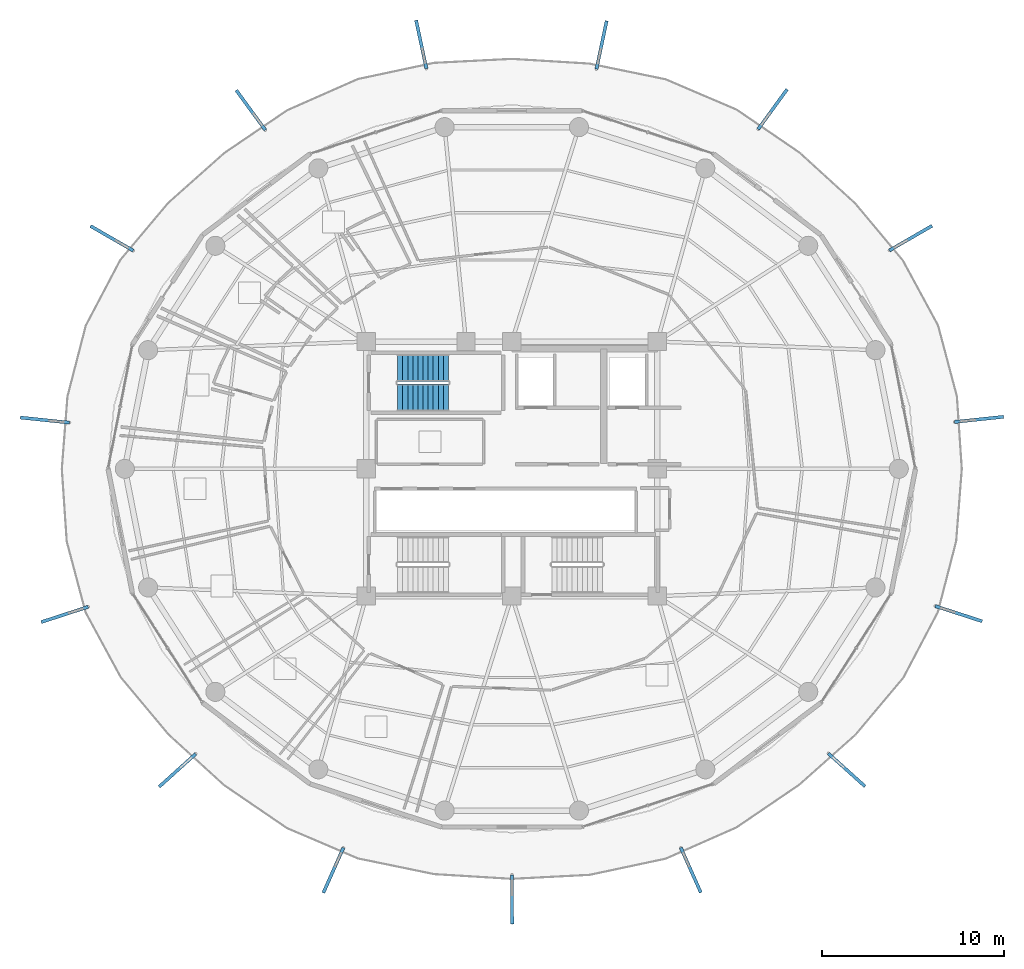
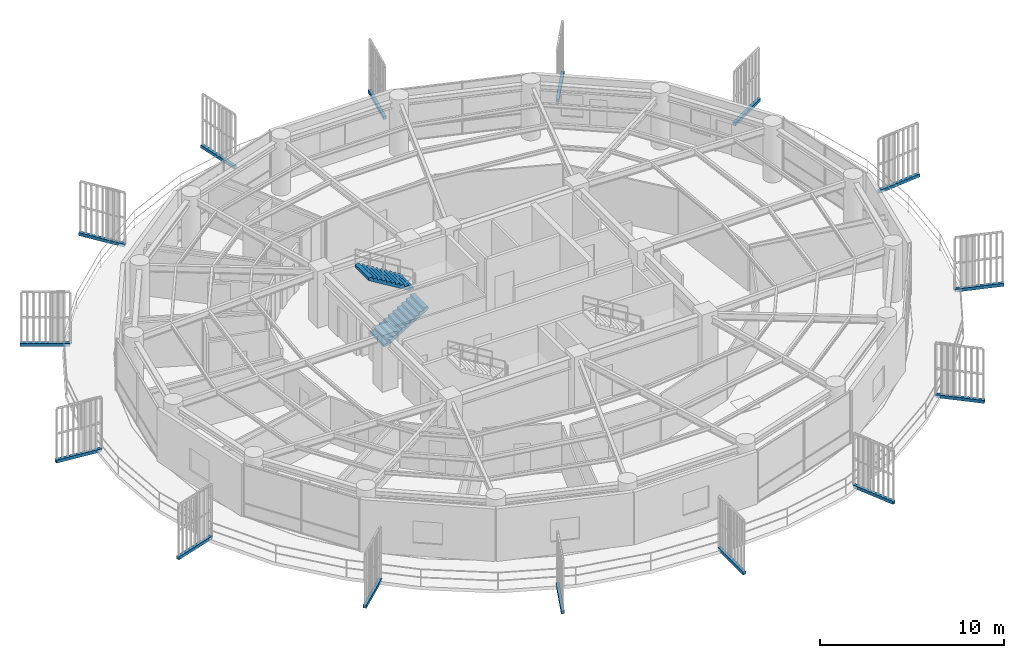
# One storey, part 27 of 31: 15 discrete accessories, 2 stair flights, 1 element without a shape of its own.
"""IFC4 building model written with IfcOpenShell, lengths in metres."""

from ifc_helpers import new_model, si_unit, direction, frame, origin, origin_2d, place, context, subcontext, project, spatial, polyline, rectangle, outline, extrude, source, transform, mapped, material, type_object, element, aggregate, save


model = new_model("IFC4")

# Units and contexts
model_context = context("Model", 3, precision=1e-05, world=origin(), true_north=direction((0.0, 1.0)))
body_context = subcontext(model_context, "Body", "Model", "MODEL_VIEW")
ifc_project = project(units=[si_unit("LENGTHUNIT", "METRE"), si_unit("AREAUNIT", "SQUARE_METRE"), si_unit("VOLUMEUNIT", "CUBIC_METRE"), si_unit("PLANEANGLEUNIT", "RADIAN"), si_unit("MASSUNIT", "GRAM", prefix="KILO")], contexts=[model_context])

# Site, building, storey
site_placement = place(None, origin())
site = spatial("IfcSite", under=ifc_project, at=site_placement, CompositionType="ELEMENT")
building_placement = place(site_placement, origin())
building = spatial("IfcBuilding", under=site, at=building_placement, Name="Kelanora Arch Commons", CompositionType="ELEMENT")
storey_placement = place(building_placement, frame((0.0, 0.0, 223.199951171875)))
storey = spatial("IfcBuildingStorey", under=building, at=storey_placement, Name="L57", CompositionType="ELEMENT", Elevation=223.199951171875)

# Stair, stair flights
ifc_material_1 = material(Name="Concrete C40/50", Category="concrete")
stair_type = type_object("IfcStairType", Name="STR-DL-375", PredefinedType="HALF_TURN_STAIR", material=ifc_material_1)
stair_placement = place(storey_placement, origin())
stair = element("IfcStair", 1, at=stair_placement, inside=storey, type_object=stair_type, Name="L57 ST-T1", PredefinedType="HALF_TURN_STAIR")
stair_flight_type = type_object("IfcStairFlightType", Name="FLT-DL-375", PredefinedType="STRAIGHT", material=ifc_material_1)
stair_flight_1_placement = place(storey_placement, frame((67.719970703125, 61.919921875, 0.0), z_axis=(0.0, 0.0, 1.0), x_axis=(1.0, 0.0, 0.0)))
stair_flight_1 = element("IfcStairFlight", 2, at=stair_flight_1_placement, type_object=stair_flight_type, Name="ST-T1 flight 1", NumberOfRisers=11, NumberOfTreads=10, PredefinedType="STRAIGHT", RiserHeight=0.170454545, TreadLength=0.28, context=body_context, shape_type="SweptSolid", body=[
    extrude(outline(polyline([(0.0, 0.0), (0.0, 0.17041015625), (0.280029296875, 0.17041015625), (0.280029296875, 0.3408203125), (0.56005859375, 0.3408203125), (0.56005859375, 0.511474609375), (0.840087890625, 0.511474609375), (0.840087890625, 0.681884765625), (1.1201171875, 0.681884765625), (1.1201171875, 0.852294921875), (1.39990234375, 0.852294921875), (1.39990234375, 1.022705078125), (1.679931640625, 1.022705078125), (1.679931640625, 1.193115234375), (1.9599609375, 1.193115234375), (1.9599609375, 1.363525390625), (2.239990234375, 1.363525390625), (2.239990234375, 1.5341796875), (2.52001953125, 1.5341796875), (2.52001953125, 1.70458984375), (2.800048828125, 1.70458984375), (2.800048828125, 1.875), (2.800048828125, 1.529052734375), (0.288330078125, 0.0), (0.0, 0.0)])), frame((0.0, 0.739990234375, 0.0), z_axis=(0.0, -1.0, 0.0), x_axis=(1.0, 0.0, 0.0)), (0.0, 0.0, 1.0), 1.47998046875),
])
stair_flight_2_placement = place(storey_placement, frame((70.52001953125, 63.550048828125, 1.875), z_axis=(0.0, 0.0, 1.0), x_axis=(-1.0, 0.0, 0.0)))
stair_flight_2 = element("IfcStairFlight", 3, at=stair_flight_2_placement, type_object=stair_flight_type, Name="ST-T1 flight 2", NumberOfRisers=11, NumberOfTreads=10, PredefinedType="STRAIGHT", RiserHeight=0.170454545, TreadLength=0.28, context=body_context, shape_type="SweptSolid", body=[
    extrude(outline(polyline([(0.0, 0.0), (0.0, 0.17041015625), (0.280029296875, 0.17041015625), (0.280029296875, 0.3408203125), (0.56005859375, 0.3408203125), (0.56005859375, 0.511474609375), (0.840087890625, 0.511474609375), (0.840087890625, 0.681884765625), (1.1201171875, 0.681884765625), (1.1201171875, 0.852294921875), (1.39990234375, 0.852294921875), (1.39990234375, 1.022705078125), (1.679931640625, 1.022705078125), (1.679931640625, 1.193115234375), (1.9599609375, 1.193115234375), (1.9599609375, 1.363525390625), (2.239990234375, 1.363525390625), (2.239990234375, 1.5341796875), (2.52001953125, 1.5341796875), (2.52001953125, 1.70458984375), (2.800048828125, 1.70458984375), (2.800048828125, 1.875), (2.800048828125, 1.529052734375), (0.288330078125, 0.0), (0.0, 0.0)])), frame((0.0, 0.739990234375, 0.0), z_axis=(0.0, -1.0, 0.0), x_axis=(1.0, 0.0, 0.0)), (0.0, 0.0, 1.0), 1.47998046875),
])
aggregate(stair, [stair_flight_1, stair_flight_2])

# Discrete accessories
ifc_material_2 = material(Name="Stainless steel 316 marine fin bracket", Category="steel")
discrete_accessory_type = type_object("IfcDiscreteAccessoryType", Name="ACC-FIN-BRK", PredefinedType="BRACKET", material=ifc_material_2)
shared_shape = source(origin(), body_context, "Body", "SweptSolid", [
    extrude(rectangle(XDim=2.710693359375, YDim=0.179931640625, at=origin_2d()), origin(), (0.0, 0.0, 1.0), 0.199951171875),
])
for number, where, z_axis, x_axis, name in (
    (4, (92.41552734375, 41.443115234375, -0.16015625), (0.0, 0.0, 1.0), (0.743611785628, -0.668611630377, 0.0), "Sweeping Fin Cantilever Spine Bracket L57-00"),
    (5, (98.573486328125, 50.035400390625, -0.16015625), (0.0, 0.0, 1.0), (0.951272019071, -0.30835295642, 0.0), "Sweeping Fin Cantilever Spine Bracket L57-01"),
    (6, (99.697509765625, 60.719970703125, -0.16015625), (0.0, 0.0, 1.0), (0.994448678381, 0.105222745001, 0.0), "Sweeping Fin Cantilever Spine Bracket L57-02"),
    (7, (95.935302734375, 70.685791015625, -0.16015625), (0.0, 0.0, 1.0), (0.865676126917, 0.500604477892, 0.0), "Sweeping Fin Cantilever Spine Bracket L57-03"),
    (8, (88.343505859375, 77.7724609375, -0.16015625), (0.0, 0.0, 1.0), (0.587220308688, 0.809427148707, 0.0), "Sweeping Fin Cantilever Spine Bracket L57-04"),
    (9, (78.93603515625, 81.30615234375, -0.16015625), (0.0, 0.0, 1.0), (0.207228764358, 0.978292512096, 0.0), "Sweeping Fin Cantilever Spine Bracket L57-05"),
    (10, (69.021728515625, 81.336181640625, -0.16015625), (0.0, 0.0, 1.0), (-0.208594515944, 0.978002212635, 0.0), "Sweeping Fin Cantilever Spine Bracket L57-06"),
    (11, (59.64599609375, 77.726318359375, -0.16015625), (0.0, 0.0, 1.0), (-0.588349909417, 0.808606445738, 0.0), "Sweeping Fin Cantilever Spine Bracket L57-07"),
    (12, (52.010986328125, 70.673828125, -0.16015625), (0.0, 0.0, 1.0), (-0.866374258561, 0.499395278414, 0.0), "Sweeping Fin Cantilever Spine Bracket L57-08"),
    (13, (48.325927734375, 60.679443359375, -0.16015625), (0.0, 0.0, 1.0), (-0.994594627637, 0.103834130589, 0.0), "Sweeping Fin Cantilever Spine Bracket L57-09"),
    (14, (49.4208984375, 49.993896484375, -0.16015625), (0.0, 0.0, 1.0), (-0.950840549986, -0.309680881719, 0.0), "Sweeping Fin Cantilever Spine Bracket L57-10"),
    (15, (55.614013671875, 41.4208984375, -0.16015625), (0.0, 0.0, 1.0), (-0.742677503127, -0.669649256215, 0.0), "Sweeping Fin Cantilever Spine Bracket L57-11"),
    (16, (64.18994140625, 35.922607421875, -0.16015625), (0.0, 0.0, 1.0), (-0.406098768964, -0.913829190738, 0.0), "Sweeping Fin Cantilever Spine Bracket L57-12"),
    (17, (74.017333984375, 34.3212890625, -0.16015625), (0.0, 0.0, 1.0), (0.000698131644, -0.999999756306, 0.0), "Sweeping Fin Cantilever Spine Bracket L57-13"),
    (18, (83.843505859375, 35.9345703125, -0.16015625), (0.0, 0.0, 1.0), (0.407374318949, -0.913261279296, 0.0), "Sweeping Fin Cantilever Spine Bracket L57-14"),
):
    element("IfcDiscreteAccessory", number, at=place(storey_placement, frame(where, z_axis=z_axis, x_axis=x_axis)), inside=storey, type_object=discrete_accessory_type, Name=name, PredefinedType="BRACKET", context=body_context, shape_type="MappedRepresentation", body=[
        mapped(shared_shape, transform((0.0, 0.0, 0.0), scale=1.0)),
    ])

save(model, "model.ifc")
